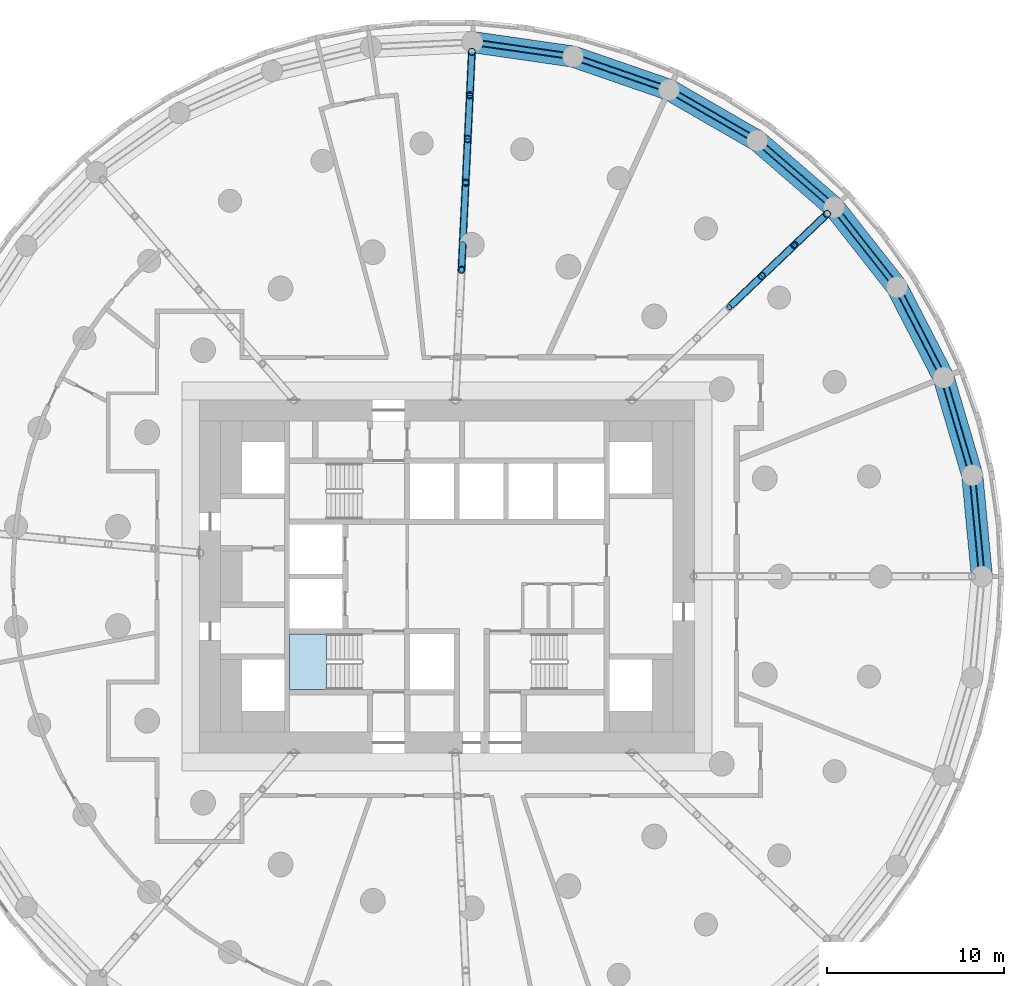
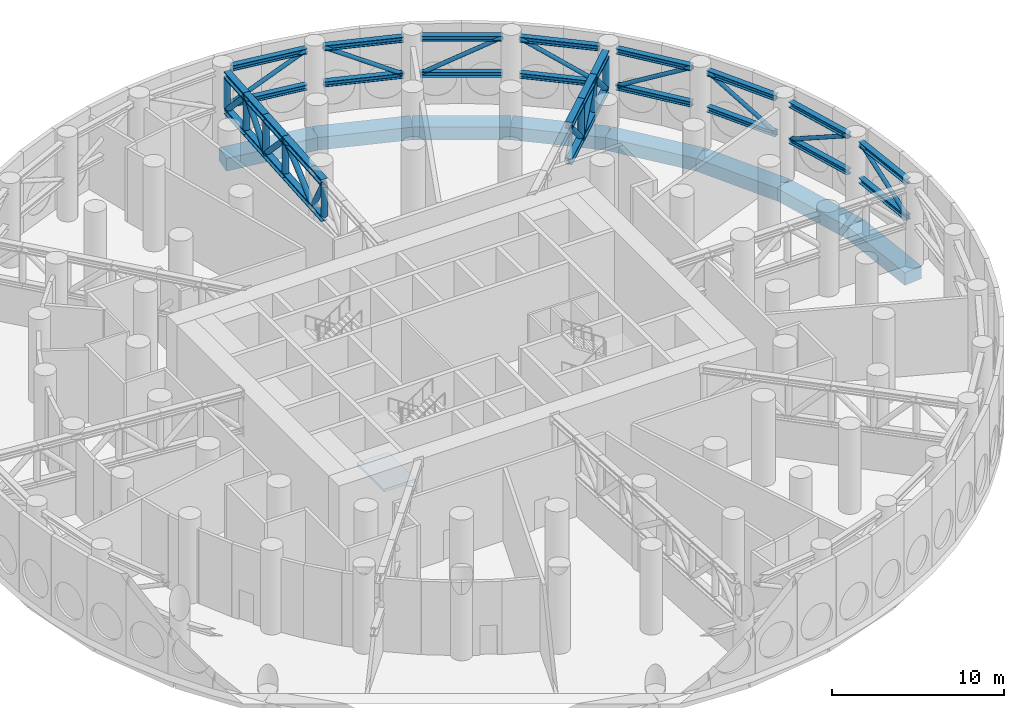
# One storey, part 7 of 17: 56 members, 8 beams, 1 slab, 1 element without a shape of its own.
"""IFC4 building model written with IfcOpenShell, lengths in metres."""

import ifcopenshell
import ifcopenshell.guid

model = None  # the IFC model being written
_history = None  # IfcOwnerHistory: only IFC2X3 demands one
_inside = {}  # id of a spatial element -> (the spatial element, [elements in it])
_under = {}  # id of a project, library or spatial element -> (it, [spatial elements below it])
_declared = {}  # id of a project -> (the project, [libraries it declares])
_typed = {}  # id of a type object -> (the type object, [elements of that type])
_made_of = {}  # id of a material, layer set ... -> (it, [elements and type objects made of it])


def new_model(schema):
    """Start an empty IFC model of exactly this schema.

    Asked for "IFC4X3", IfcOpenShell would pick the latest addendum, in which some entities
    have other attributes; the version numbers below select the first issue.
    IFC2X3 requires an IfcOwnerHistory on every rooted entity: one is made here for all.
    """
    global model, _history
    if schema == "IFC4X3":
        model = ifcopenshell.file(schema_version=(4, 3, 0, 0))
    else:
        model = ifcopenshell.file(schema=schema)
    _inside.clear()
    _under.clear()
    _declared.clear()
    _typed.clear()
    _made_of.clear()
    _history = None
    if model.schema == "IFC2X3":
        org = make("IfcOrganization", Name="unknown")
        user = make(
            "IfcPersonAndOrganization",
            ThePerson=make("IfcPerson", FamilyName="unknown"),
            TheOrganization=org,
        )
        app = make(
            "IfcApplication",
            ApplicationDeveloper=org,
            Version="unknown",
            ApplicationFullName="unknown",
            ApplicationIdentifier="unknown",
        )
        _history = make(
            "IfcOwnerHistory",
            OwningUser=user,
            OwningApplication=app,
            ChangeAction="ADDED",
            CreationDate=0,
        )
    return model


def make(cls, **values):
    """One entity of the class cls with the attributes given. An attribute that is None is left unset."""
    return model.create_entity(
        cls, **{name: value for name, value in values.items() if value is not None}
    )


def rooted(cls, **values):
    """An entity with a GlobalId (a new one), such as an element, a storey or a relation."""
    return make(cls, GlobalId=ifcopenshell.guid.new(), OwnerHistory=_history, **values)


def si_unit(unit_type, name, prefix=None):
    """IfcSIUnit, for example si_unit("LENGTHUNIT", "METRE", prefix="MILLI")."""
    return make("IfcSIUnit", UnitType=unit_type, Prefix=prefix, Name=name)


def assignment(units):
    """IfcUnitAssignment: the units of a project."""
    return None if units is None else make("IfcUnitAssignment", Units=units)


def point(xyz):
    """IfcCartesianPoint."""
    return None if xyz is None else make("IfcCartesianPoint", Coordinates=xyz)


def direction(xyz):
    """IfcDirection."""
    return None if xyz is None else make("IfcDirection", DirectionRatios=xyz)


def frame(location, z_axis=None, x_axis=None):
    """IfcAxis2Placement3D, a coordinate frame: its origin and axes. An axis left out is left unset."""
    return make(
        "IfcAxis2Placement3D",
        Location=point(location),
        Axis=direction(z_axis),
        RefDirection=direction(x_axis),
    )


def frame_2d(location, x_axis=None):
    """IfcAxis2Placement2D, a coordinate frame in the plane: its origin and x axis."""
    return make(
        "IfcAxis2Placement2D", Location=point(location), RefDirection=direction(x_axis)
    )


def origin():
    """The frame at (0, 0, 0) with its axes left unset."""
    return frame((0.0, 0.0, 0.0))


def origin_2d():
    """The frame at (0, 0) in the plane with its x axis left unset."""
    return frame_2d((0.0, 0.0))


def place(relative_to, where):
    """IfcLocalPlacement: puts the frame where relative to a parent placement (None: the world)."""
    return make(
        "IfcLocalPlacement", PlacementRelTo=relative_to, RelativePlacement=where
    )


def context(
    kind, dimensions, precision=None, world=None, true_north=None, identifier=None
):
    """IfcGeometricRepresentationContext, for example the 3D "Model" context."""
    return make(
        "IfcGeometricRepresentationContext",
        ContextIdentifier=identifier,
        ContextType=kind,
        CoordinateSpaceDimension=dimensions,
        Precision=precision,
        WorldCoordinateSystem=world,
        TrueNorth=true_north,
    )


def subcontext(parent, identifier, kind, view, scale=None):
    """IfcGeometricRepresentationSubContext, for example "Body" below "Model"."""
    return make(
        "IfcGeometricRepresentationSubContext",
        ContextIdentifier=identifier,
        ContextType=kind,
        ParentContext=parent,
        TargetScale=scale,
        TargetView=view,
    )


def project(units=None, contexts=None):
    """IfcProject with its units and contexts."""
    return rooted(
        "IfcProject",
        Name="project",
        RepresentationContexts=contexts,
        UnitsInContext=assignment(units),
    )


def spatial(cls, under=None, at=None, **own):
    """A site, building, storey or space (cls), placed at a placement, below another one or the project."""
    s = rooted(cls, ObjectPlacement=at, **own)
    if under is not None:
        _under.setdefault(under.id(), (under, []))[1].append(s)
    return s


def polyline(points):
    """IfcPolyline through the points."""
    return make("IfcPolyline", Points=[point(p) for p in points])


def profile(cls, at=None, kind="AREA", **sizes):
    """A parametric profile (cls). Its sizes go by their IFC names, for example OverallWidth=200.0."""
    return make(cls, ProfileType=kind, Position=at, **sizes)


def rectangle(**sizes):
    """IfcRectangleProfileDef."""
    return profile("IfcRectangleProfileDef", **sizes)


def hollow_circle(**sizes):
    """IfcCircleHollowProfileDef."""
    return profile("IfcCircleHollowProfileDef", **sizes)


def i_section(**sizes):
    """IfcIShapeProfileDef."""
    return profile("IfcIShapeProfileDef", **sizes)


def outline(outer, holes=None, kind="AREA"):
    """IfcArbitraryClosedProfileDef: a profile drawn as a closed curve; with holes, ...WithVoids."""
    if holes is None:
        return make("IfcArbitraryClosedProfileDef", ProfileType=kind, OuterCurve=outer)
    return make(
        "IfcArbitraryProfileDefWithVoids",
        ProfileType=kind,
        OuterCurve=outer,
        InnerCurves=holes,
    )


def extrude(swept, where, along, depth):
    """IfcExtrudedAreaSolid: the profile swept, set in the frame where, extruded along a direction by depth."""
    return make(
        "IfcExtrudedAreaSolid",
        SweptArea=swept,
        Position=where,
        ExtrudedDirection=direction(along),
        Depth=depth,
    )


def shape(context_of_items, identifier, shape_type, items):
    """IfcShapeRepresentation: the items that make up one representation, for example the "Body"."""
    return make(
        "IfcShapeRepresentation",
        ContextOfItems=context_of_items,
        RepresentationIdentifier=identifier,
        RepresentationType=shape_type,
        Items=items,
    )


def material(Name=None, Category=None):
    """IfcMaterial."""
    return make("IfcMaterial", Name=Name, Category=Category)


def layer(
    of_material, thickness, ventilated=None, Name=None, Category=None, Priority=None
):
    """IfcMaterialLayer: one layer of a wall or slab, of a material (None: an air gap)."""
    return make(
        "IfcMaterialLayer",
        Material=of_material,
        LayerThickness=thickness,
        IsVentilated=ventilated,
        Name=Name,
        Category=Category,
        Priority=Priority,
    )


def layer_set(layers, Name=None):
    """IfcMaterialLayerSet."""
    return make("IfcMaterialLayerSet", MaterialLayers=layers, LayerSetName=Name)


def material_profile(
    of_material, cross_section, Name=None, Category=None, Priority=None
):
    """IfcMaterialProfile: a cross section and its material."""
    return make(
        "IfcMaterialProfile",
        Name=Name,
        Material=of_material,
        Profile=cross_section,
        Priority=Priority,
        Category=Category,
    )


def profile_set(profiles, Name=None, composite=None):
    """IfcMaterialProfileSet."""
    return make(
        "IfcMaterialProfileSet",
        Name=Name,
        MaterialProfiles=profiles,
        CompositeProfile=composite,
    )


def made_of(thing, what):
    """Note that an element or type object is made of a material, layer set ...; save() writes the relation."""
    if what is not None:
        _made_of.setdefault(what.id(), (what, []))[1].append(thing)
    return thing


def type_object(cls, material=None, **own):
    """A type object (cls), such as IfcWallType, which elements share."""
    return made_of(rooted(cls, **own), material)


def element(
    cls,
    number,
    at=None,
    inside=None,
    cuts=None,
    type_object=None,
    material=None,
    context=None,
    identifier="Body",
    shape_type=None,
    held_by="IfcProductDefinitionShape",
    body=None,
    shapes=None,
    **own,
):
    """One element of the class cls, such as IfcWall. Its Tag is "e" and its number.

    at: its placement. inside: the storey or other place that contains it. cuts: it is an
    opening in that element (IfcRelVoidsElement). A single representation is given by context,
    identifier, shape_type and body (its items); several are given by shapes. held_by: the class
    of the entity that holds the representations. save() writes the other relations.
    """
    e = rooted(cls, Tag="e%d" % number, ObjectPlacement=at, **own)
    if body is not None:
        shapes = [shape(context, identifier, shape_type, body)]
    if shapes is not None:
        e.Representation = make(held_by, Representations=shapes)
    if inside is not None:
        _inside.setdefault(inside.id(), (inside, []))[1].append(e)
    if cuts is not None:
        rooted(
            "IfcRelVoidsElement", RelatingBuildingElement=cuts, RelatedOpeningElement=e
        )
    if type_object is not None:
        _typed.setdefault(type_object.id(), (type_object, []))[1].append(e)
    return made_of(e, material)


def aggregate(whole, parts):
    """IfcRelAggregates: a whole, such as a stair, and the parts it consists of."""
    return rooted("IfcRelAggregates", RelatingObject=whole, RelatedObjects=parts)


def save(model, path):
    """Write the relations noted so far, then the file.

    IfcRelAggregates (storeys below a building ...), IfcRelContainedInSpatialStructure (elements
    in a storey), IfcRelDefinesByType, IfcRelAssociatesMaterial and IfcRelDeclares: one each for
    every whole, place, type object, material and project.
    """
    for whole, parts in _under.values():
        aggregate(whole, parts)
    for where, things in _inside.values():
        rooted(
            "IfcRelContainedInSpatialStructure",
            RelatedElements=things,
            RelatingStructure=where,
        )
    for kind, things in _typed.values():
        rooted("IfcRelDefinesByType", RelatedObjects=things, RelatingType=kind)
    for what, things in _made_of.values():
        rooted("IfcRelAssociatesMaterial", RelatedObjects=things, RelatingMaterial=what)
    for by, libraries in _declared.values():
        rooted("IfcRelDeclares", RelatingContext=by, RelatedDefinitions=libraries)
    model.write(path)


model = new_model("IFC4")

# Units and contexts
model_context = context("Model", 3, precision=1e-05, world=origin(), true_north=direction((0.0, 1.0)))
body_context = subcontext(model_context, "Body", "Model", "MODEL_VIEW")
ifc_project = project(units=[si_unit("LENGTHUNIT", "METRE"), si_unit("AREAUNIT", "SQUARE_METRE"), si_unit("VOLUMEUNIT", "CUBIC_METRE"), si_unit("PLANEANGLEUNIT", "RADIAN"), si_unit("MASSUNIT", "GRAM", prefix="KILO")], contexts=[model_context])

# Site, building, storey
site_placement = place(None, origin())
site = spatial("IfcSite", under=ifc_project, at=site_placement, CompositionType="ELEMENT")
building_placement = place(site_placement, origin())
building = spatial("IfcBuilding", under=site, at=building_placement, Name="Tracery Tower", CompositionType="ELEMENT")
storey_placement = place(building_placement, frame((0.0, 0.0, 120.0)))
storey = spatial("IfcBuildingStorey", under=building, at=storey_placement, Name="L30 Plant", CompositionType="ELEMENT", Elevation=120.0)

# Members
ifc_material_1 = material(Name="Steel S355", Category="steel")
ifc_material_profile_1 = material_profile(ifc_material_1, i_section(OverallWidth=0.37060546875, OverallDepth=0.362060546875, WebThickness=0.01220703125, FlangeThickness=0.020751953125, FilletRadius=0.01513671875, at=origin_2d()), Name="UKC 356x368x153")
ifc_profile_set_1 = profile_set([ifc_material_profile_1], Name="Steel S355")
member_type_1 = type_object("IfcMemberType", Name="Belt truss bottom chord UKC 356x368x153", PredefinedType="CHORD", material=ifc_profile_set_1)
member_1_placement = place(storey_placement, frame((30.22705078125, 0.497802734375, 2.9033203125), z_axis=(-0.09508043765, 0.995469592894, 0.0), x_axis=(-0.995469592894, -0.09508043765, 0.0)))
element("IfcMember", 1, at=member_1_placement, inside=storey, type_object=member_type_1, Name="Belt truss bottom chord 1", PredefinedType="CHORD", context=body_context, shape_type="SweptSolid", body=[
    extrude(i_section(OverallWidth=0.37060546875, OverallDepth=0.362060546875, WebThickness=0.01220703125, FlangeThickness=0.020751953125, FilletRadius=0.01513671875, at=origin_2d()), origin(), (0.0, 0.0, 1.0), 4.75537109375),
])
for number, where, z_axis, x_axis, name in (
    (2, (29.586669921875, 6.209228515625, 2.9033203125), (-0.281738268349, 0.959491296546, 0.0), (-0.959491296546, -0.281738268349, 0.0), "Belt truss bottom chord 2"),
    (3, (27.876953125, 11.6962890625, 2.9033203125), (-0.458227033576, 0.888835184779, 0.0), (-0.888835184779, -0.458227033576, 0.0), "Belt truss bottom chord 3"),
):
    element("IfcMember", number, at=place(storey_placement, frame(where, z_axis=z_axis, x_axis=x_axis)), inside=storey, type_object=member_type_1, Name=name, PredefinedType="CHORD", context=body_context, shape_type="SweptSolid", body=[
        extrude(i_section(OverallWidth=0.37060546875, OverallDepth=0.362060546875, WebThickness=0.01220703125, FlangeThickness=0.020751953125, FilletRadius=0.01513671875, at=origin_2d()), origin(), (0.0, 0.0, 1.0), 4.755615234375),
    ])
member_2_placement = place(storey_placement, frame((25.159423828125, 16.7607421875, 2.9033203125), z_axis=(-0.618136669927, 0.786070643958, 0.0), x_axis=(-0.786070643958, -0.618136669927, 0.0)))
element("IfcMember", 4, at=member_2_placement, inside=storey, type_object=member_type_1, Name="Belt truss bottom chord 4", PredefinedType="CHORD", context=body_context, shape_type="SweptSolid", body=[
    extrude(i_section(OverallWidth=0.37060546875, OverallDepth=0.362060546875, WebThickness=0.01220703125, FlangeThickness=0.020751953125, FilletRadius=0.01513671875, at=origin_2d()), origin(), (0.0, 0.0, 1.0), 4.75537109375),
])
for number, where, z_axis, x_axis, name in (
    (5, (21.532958984375, 21.21923828125, 2.9033203125), (-0.755744978392, 0.65486603793, 0.0), (-0.65486603793, -0.755744978392, 0.0), "Belt truss bottom chord 5"),
    (6, (17.1279296875, 24.910888671875, 2.9033203125), (-0.866010324758, 0.500026116731, 0.0), (-0.500026116731, -0.866010324758, 0.0), "Belt truss bottom chord 6"),
    (7, (12.10400390625, 27.7021484375, 2.9033203125), (-0.944980580061, 0.327126433213, 0.0), (-0.327126433213, -0.944980580061, 0.0), "Belt truss bottom chord 7"),
    (8, (6.642578125, 29.492431640625, 2.9033203125), (-0.989822810681, 0.142305317733, 0.0), (-0.142305317733, -0.989822810681, 0.0), "Belt truss bottom chord 8"),
):
    element("IfcMember", number, at=place(storey_placement, frame(where, z_axis=z_axis, x_axis=x_axis)), inside=storey, type_object=member_type_1, Name=name, PredefinedType="CHORD", context=body_context, shape_type="SweptSolid", body=[
        extrude(i_section(OverallWidth=0.37060546875, OverallDepth=0.362060546875, WebThickness=0.01220703125, FlangeThickness=0.020751953125, FilletRadius=0.01513671875, at=origin_2d()), origin(), (0.0, 0.0, 1.0), 4.755615234375),
    ])
ifc_material_2 = material(Name="Steel S355", Category="steel")
ifc_material_profile_2 = material_profile(ifc_material_2, hollow_circle(Radius=0.136474609375, WallThickness=0.012451171875, at=origin_2d()), Name="CHS 273x12.5")
ifc_profile_set_2 = profile_set([ifc_material_profile_2], Name="Steel S355")
member_type_2 = type_object("IfcMemberType", Name="Belt truss diagonal CHS 273x12.5", PredefinedType="BRACE", material=ifc_profile_set_2)
member_3_placement = place(storey_placement, frame((30.22705078125, 0.497802734375, 2.9033203125), z_axis=(-0.083725059222, 0.876581478567, 0.473914576576), x_axis=(-0.995469592894, -0.09508043765, 0.0)))
element("IfcMember", 9, at=member_3_placement, inside=storey, type_object=member_type_2, Name="Belt truss diagonal 1", PredefinedType="BRACE", context=body_context, shape_type="SweptSolid", body=[
    extrude(hollow_circle(Radius=0.136474609375, WallThickness=0.012451171875, at=origin_2d()), origin(), (0.0, 0.0, 1.0), 5.400390625),
])
for number, where, z_axis, x_axis, name in (
    (10, (29.586669921875, 6.209228515625, 5.462646484375), (-0.248092866052, 0.844908102498, -0.473898964071), (-0.959491296546, -0.281738268349, 0.0), "Belt truss diagonal 2"),
    (11, (27.876953125, 11.6962890625, 2.9033203125), (-0.403506857394, 0.782693001224, 0.473892268212), (-0.888835184779, -0.458227033576, 0.0), "Belt truss diagonal 3"),
):
    element("IfcMember", number, at=place(storey_placement, frame(where, z_axis=z_axis, x_axis=x_axis)), inside=storey, type_object=member_type_2, Name=name, PredefinedType="BRACE", context=body_context, shape_type="SweptSolid", body=[
        extrude(hollow_circle(Radius=0.136474609375, WallThickness=0.012451171875, at=origin_2d()), origin(), (0.0, 0.0, 1.0), 5.400634765625),
    ])
member_4_placement = place(storey_placement, frame((25.159423828125, 16.7607421875, 5.462646484375), z_axis=(-0.544310911572, 0.692188070355, -0.473921203157), x_axis=(-0.786070643958, -0.618136669927, 0.0)))
element("IfcMember", 12, at=member_4_placement, inside=storey, type_object=member_type_2, Name="Belt truss diagonal 4", PredefinedType="BRACE", context=body_context, shape_type="SweptSolid", body=[
    extrude(hollow_circle(Radius=0.136474609375, WallThickness=0.012451171875, at=origin_2d()), origin(), (0.0, 0.0, 1.0), 5.400390625),
])
for number, where, z_axis, x_axis, name in (
    (13, (21.532958984375, 21.21923828125, 2.9033203125), (-0.66549118725, 0.576659573709, 0.47390422634), (-0.65486603793, -0.755744978392, 0.0), "Belt truss diagonal 5"),
    (14, (17.1279296875, 24.910888671875, 5.462646484375), (-0.762589914734, 0.440312156589, -0.47390065067), (-0.500026116731, -0.866010324758, 0.0), "Belt truss diagonal 6"),
):
    element("IfcMember", number, at=place(storey_placement, frame(where, z_axis=z_axis, x_axis=x_axis)), inside=storey, type_object=member_type_2, Name=name, PredefinedType="BRACE", context=body_context, shape_type="SweptSolid", body=[
        extrude(hollow_circle(Radius=0.136474609375, WallThickness=0.012451171875, at=origin_2d()), origin(), (0.0, 0.0, 1.0), 5.400634765625),
    ])
member_5_placement = place(storey_placement, frame((12.10400390625, 27.7021484375, 2.9033203125), z_axis=(-0.832126767289, 0.28805952959, 0.473905845683), x_axis=(-0.327126433213, -0.944980580061, 0.0)))
element("IfcMember", 15, at=member_5_placement, inside=storey, type_object=member_type_2, Name="Belt truss diagonal 7", PredefinedType="BRACE", context=body_context, shape_type="SweptSolid", body=[
    extrude(hollow_circle(Radius=0.136474609375, WallThickness=0.012451171875, at=origin_2d()), origin(), (0.0, 0.0, 1.0), 5.400390625),
])
member_6_placement = place(storey_placement, frame((6.642578125, 29.492431640625, 5.462646484375), z_axis=(-0.871619132193, 0.125311354932, -0.473895719246), x_axis=(-0.142305317733, -0.989822810681, 0.0)))
element("IfcMember", 16, at=member_6_placement, inside=storey, type_object=member_type_2, Name="Belt truss diagonal 8", PredefinedType="BRACE", context=body_context, shape_type="SweptSolid", body=[
    extrude(hollow_circle(Radius=0.136474609375, WallThickness=0.012451171875, at=origin_2d()), origin(), (0.0, 0.0, 1.0), 5.400634765625),
])
ifc_material_3 = material(Name="Steel S355", Category="steel")
ifc_material_profile_3 = material_profile(ifc_material_3, i_section(OverallWidth=0.374755859375, OverallDepth=0.37451171875, WebThickness=0.0166015625, FlangeThickness=0.027099609375, FilletRadius=0.01513671875, at=origin_2d()), Name="UKC 356x368x202")
ifc_profile_set_3 = profile_set([ifc_material_profile_3], Name="Steel S355")
member_type_3 = type_object("IfcMemberType", Name="Belt truss top chord UKC 356x368x202", PredefinedType="CHORD", material=ifc_profile_set_3)
member_7_placement = place(storey_placement, frame((30.22705078125, 0.497802734375, 5.462646484375), z_axis=(-0.09508043765, 0.995469592894, 0.0), x_axis=(-0.995469592894, -0.09508043765, 0.0)))
element("IfcMember", 17, at=member_7_placement, inside=storey, type_object=member_type_3, Name="Belt truss top chord 1", PredefinedType="CHORD", context=body_context, shape_type="SweptSolid", body=[
    extrude(i_section(OverallWidth=0.374755859375, OverallDepth=0.37451171875, WebThickness=0.0166015625, FlangeThickness=0.027099609375, FilletRadius=0.01513671875, at=origin_2d()), origin(), (0.0, 0.0, 1.0), 4.75537109375),
])
for number, where, z_axis, x_axis, name in (
    (18, (29.586669921875, 6.209228515625, 5.462646484375), (-0.281738268349, 0.959491296546, 0.0), (-0.959491296546, -0.281738268349, 0.0), "Belt truss top chord 2"),
    (19, (27.876953125, 11.6962890625, 5.462646484375), (-0.458227033576, 0.888835184779, 0.0), (-0.888835184779, -0.458227033576, 0.0), "Belt truss top chord 3"),
):
    element("IfcMember", number, at=place(storey_placement, frame(where, z_axis=z_axis, x_axis=x_axis)), inside=storey, type_object=member_type_3, Name=name, PredefinedType="CHORD", context=body_context, shape_type="SweptSolid", body=[
        extrude(i_section(OverallWidth=0.374755859375, OverallDepth=0.37451171875, WebThickness=0.0166015625, FlangeThickness=0.027099609375, FilletRadius=0.01513671875, at=origin_2d()), origin(), (0.0, 0.0, 1.0), 4.755615234375),
    ])
member_8_placement = place(storey_placement, frame((25.159423828125, 16.7607421875, 5.462646484375), z_axis=(-0.618136669927, 0.786070643958, 0.0), x_axis=(-0.786070643958, -0.618136669927, 0.0)))
element("IfcMember", 20, at=member_8_placement, inside=storey, type_object=member_type_3, Name="Belt truss top chord 4", PredefinedType="CHORD", context=body_context, shape_type="SweptSolid", body=[
    extrude(i_section(OverallWidth=0.374755859375, OverallDepth=0.37451171875, WebThickness=0.0166015625, FlangeThickness=0.027099609375, FilletRadius=0.01513671875, at=origin_2d()), origin(), (0.0, 0.0, 1.0), 4.75537109375),
])
for number, where, z_axis, x_axis, name in (
    (21, (21.532958984375, 21.21923828125, 5.462646484375), (-0.755744978392, 0.65486603793, 0.0), (-0.65486603793, -0.755744978392, 0.0), "Belt truss top chord 5"),
    (22, (17.1279296875, 24.910888671875, 5.462646484375), (-0.866010324758, 0.500026116731, 0.0), (-0.500026116731, -0.866010324758, 0.0), "Belt truss top chord 6"),
    (23, (12.10400390625, 27.7021484375, 5.462646484375), (-0.944980580061, 0.327126433213, 0.0), (-0.327126433213, -0.944980580061, 0.0), "Belt truss top chord 7"),
    (24, (6.642578125, 29.492431640625, 5.462646484375), (-0.989822810681, 0.142305317733, 0.0), (-0.142305317733, -0.989822810681, 0.0), "Belt truss top chord 8"),
):
    element("IfcMember", number, at=place(storey_placement, frame(where, z_axis=z_axis, x_axis=x_axis)), inside=storey, type_object=member_type_3, Name=name, PredefinedType="CHORD", context=body_context, shape_type="SweptSolid", body=[
        extrude(i_section(OverallWidth=0.374755859375, OverallDepth=0.37451171875, WebThickness=0.0166015625, FlangeThickness=0.027099609375, FilletRadius=0.01513671875, at=origin_2d()), origin(), (0.0, 0.0, 1.0), 4.755615234375),
    ])
ifc_material_4 = material(Name="Steel S355", Category="steel")
ifc_material_profile_4 = material_profile(ifc_material_4, i_section(OverallWidth=0.403076171875, OverallDepth=0.406494140625, WebThickness=0.026611328125, FlangeThickness=0.04296875, FilletRadius=0.01513671875, at=origin_2d()), Name="UKC 356x406x340")
ifc_profile_set_4 = profile_set([ifc_material_profile_4], Name="Steel S355")
member_type_4 = type_object("IfcMemberType", Name="Outrigger bottom chord UKC 356x406x340", PredefinedType="CHORD", material=ifc_profile_set_4)
for number, where, z_axis, x_axis, name in (
    (25, (15.982177734375, 15.239013671875, 2.9033203125), (0.723775395754, 0.690035634225, 0.0), (-0.690035634225, 0.723775395754, 0.0), "Outrigger 2 bottom chord 4"),
    (26, (17.82568359375, 16.99658203125, 2.9033203125), (0.723727525939, 0.690085841181, 0.0), (-0.690085841181, 0.723727525939, 0.0), "Outrigger 2 bottom chord 5"),
):
    element("IfcMember", number, at=place(storey_placement, frame(where, z_axis=z_axis, x_axis=x_axis)), inside=storey, type_object=member_type_4, Name=name, PredefinedType="CHORD", context=body_context, shape_type="SweptSolid", body=[
        extrude(i_section(OverallWidth=0.403076171875, OverallDepth=0.406494140625, WebThickness=0.026611328125, FlangeThickness=0.04296875, FilletRadius=0.01513671875, at=origin_2d()), origin(), (0.0, 0.0, 1.0), 2.547119140625),
    ])
member_9_placement = place(storey_placement, frame((19.669189453125, 18.75439453125, 2.9033203125), z_axis=(0.723679658973, 0.690136038176, 0.0), x_axis=(-0.690136038176, 0.723679658973, 0.0)))
element("IfcMember", 27, at=member_9_placement, inside=storey, type_object=member_type_4, Name="Outrigger 2 bottom chord 6", PredefinedType="CHORD", context=body_context, shape_type="SweptSolid", body=[
    extrude(i_section(OverallWidth=0.403076171875, OverallDepth=0.406494140625, WebThickness=0.026611328125, FlangeThickness=0.04296875, FilletRadius=0.01513671875, at=origin_2d()), origin(), (0.0, 0.0, 1.0), 2.54736328125),
])
member_10_placement = place(storey_placement, frame((0.82666015625, 17.352783203125, 2.9033203125), z_axis=(0.047549070272, 0.998868903268, 0.0), x_axis=(-0.998868903268, 0.047549070272, 0.0)))
element("IfcMember", 28, at=member_10_placement, inside=storey, type_object=member_type_4, Name="Outrigger 3 bottom chord 4", PredefinedType="CHORD", context=body_context, shape_type="SweptSolid", body=[
    extrude(i_section(OverallWidth=0.403076171875, OverallDepth=0.406494140625, WebThickness=0.026611328125, FlangeThickness=0.04296875, FilletRadius=0.01513671875, at=origin_2d()), origin(), (0.0, 0.0, 1.0), 1.44287109375),
])
member_11_placement = place(storey_placement, frame((0.895263671875, 18.7939453125, 2.9033203125), z_axis=(0.047598308599, 0.998866558164, 0.0), x_axis=(-0.998866558164, 0.047598308599, 0.0)))
element("IfcMember", 29, at=member_11_placement, inside=storey, type_object=member_type_4, Name="Outrigger 3 bottom chord 5", PredefinedType="CHORD", context=body_context, shape_type="SweptSolid", body=[
    extrude(i_section(OverallWidth=0.403076171875, OverallDepth=0.406494140625, WebThickness=0.026611328125, FlangeThickness=0.04296875, FilletRadius=0.01513671875, at=origin_2d()), origin(), (0.0, 0.0, 1.0), 3.498046875),
])
member_12_placement = place(storey_placement, frame((1.061767578125, 22.2880859375, 2.9033203125), z_axis=(0.047536976289, 0.998869478904, 0.0), x_axis=(-0.998869478904, 0.047536976289, 0.0)))
element("IfcMember", 30, at=member_12_placement, inside=storey, type_object=member_type_4, Name="Outrigger 3 bottom chord 6", PredefinedType="CHORD", context=body_context, shape_type="SweptSolid", body=[
    extrude(i_section(OverallWidth=0.403076171875, OverallDepth=0.406494140625, WebThickness=0.026611328125, FlangeThickness=0.04296875, FilletRadius=0.01513671875, at=origin_2d()), origin(), (0.0, 0.0, 1.0), 2.47021484375),
])
member_13_placement = place(storey_placement, frame((1.17919921875, 24.755615234375, 2.9033203125), z_axis=(0.047630879766, 0.99886500554, 0.0), x_axis=(-0.99886500554, 0.047630879766, 0.0)))
element("IfcMember", 31, at=member_13_placement, inside=storey, type_object=member_type_4, Name="Outrigger 3 bottom chord 7", PredefinedType="CHORD", context=body_context, shape_type="SweptSolid", body=[
    extrude(i_section(OverallWidth=0.403076171875, OverallDepth=0.406494140625, WebThickness=0.026611328125, FlangeThickness=0.04296875, FilletRadius=0.01513671875, at=origin_2d()), origin(), (0.0, 0.0, 1.0), 2.470458984375),
])
member_14_placement = place(storey_placement, frame((1.296875, 27.223388671875, 2.9033203125), z_axis=(0.047536976289, 0.998869478904, 0.0), x_axis=(-0.998869478904, 0.047536976289, 0.0)))
element("IfcMember", 32, at=member_14_placement, inside=storey, type_object=member_type_4, Name="Outrigger 3 bottom chord 8", PredefinedType="CHORD", context=body_context, shape_type="SweptSolid", body=[
    extrude(i_section(OverallWidth=0.403076171875, OverallDepth=0.406494140625, WebThickness=0.026611328125, FlangeThickness=0.04296875, FilletRadius=0.01513671875, at=origin_2d()), origin(), (0.0, 0.0, 1.0), 2.47021484375),
])
ifc_material_5 = material(Name="Steel S355", Category="steel")
ifc_material_profile_5 = material_profile(ifc_material_5, hollow_circle(Radius=0.177734375, WallThickness=0.01611328125, at=origin_2d()), Name="CHS 355.6x16")
ifc_profile_set_5 = profile_set([ifc_material_profile_5], Name="Steel S355")
member_type_5 = type_object("IfcMemberType", Name="Outrigger diagonal CHS 355.6x16", PredefinedType="BRACE", material=ifc_profile_set_5)
for number, where, z_axis, x_axis, name in (
    (33, (15.982177734375, 15.239013671875, 5.462646484375), (0.510556547259, 0.486756268536, -0.708802050711), (-0.690035634225, 0.723775395754, 0.0), "Outrigger 2 diagonal 4"),
    (34, (17.82568359375, 16.99658203125, 2.9033203125), (0.510539743614, 0.486807860418, 0.708778722329), (-0.690085841181, 0.723727525939, 0.0), "Outrigger 2 diagonal 5"),
):
    element("IfcMember", number, at=place(storey_placement, frame(where, z_axis=z_axis, x_axis=x_axis)), inside=storey, type_object=member_type_5, Name=name, PredefinedType="BRACE", context=body_context, shape_type="SweptSolid", body=[
        extrude(hollow_circle(Radius=0.177734375, WallThickness=0.01611328125, at=origin_2d()), origin(), (0.0, 0.0, 1.0), 3.61083984375),
    ])
member_15_placement = place(storey_placement, frame((19.669189453125, 18.75439453125, 5.462646484375), z_axis=(0.510522939294, 0.486859447206, -0.70875539301), x_axis=(-0.690136038176, 0.723679658973, 0.0)))
element("IfcMember", 35, at=member_15_placement, inside=storey, type_object=member_type_5, Name="Outrigger 2 diagonal 6", PredefinedType="BRACE", context=body_context, shape_type="SweptSolid", body=[
    extrude(hollow_circle(Radius=0.177734375, WallThickness=0.01611328125, at=origin_2d()), origin(), (0.0, 0.0, 1.0), 3.611083984375),
])
member_16_placement = place(storey_placement, frame((0.82666015625, 17.352783203125, 5.462646484375), z_axis=(0.023350466345, 0.490525988736, -0.871113660837), x_axis=(-0.998868903268, 0.047549070272, 0.0)))
element("IfcMember", 36, at=member_16_placement, inside=storey, type_object=member_type_5, Name="Outrigger 3 diagonal 4", PredefinedType="BRACE", context=body_context, shape_type="SweptSolid", body=[
    extrude(hollow_circle(Radius=0.177734375, WallThickness=0.01611328125, at=origin_2d()), origin(), (0.0, 0.0, 1.0), 2.93798828125),
])
member_17_placement = place(storey_placement, frame((0.895263671875, 18.7939453125, 2.9033203125), z_axis=(0.038414656054, 0.806144512381, 0.590470439022), x_axis=(-0.998866558164, 0.047598308599, 0.0)))
element("IfcMember", 37, at=member_17_placement, inside=storey, type_object=member_type_5, Name="Outrigger 3 diagonal 5", PredefinedType="BRACE", context=body_context, shape_type="SweptSolid", body=[
    extrude(hollow_circle(Radius=0.177734375, WallThickness=0.01611328125, at=origin_2d()), origin(), (0.0, 0.0, 1.0), 4.33447265625),
])
for number, where, z_axis, x_axis, name in (
    (38, (1.061767578125, 22.2880859375, 5.462646484375), (0.03301372485, 0.693700035465, -0.719507022042), (-0.998869478904, 0.047536976289, 0.0), "Outrigger 3 diagonal 6"),
    (39, (1.17919921875, 24.755615234375, 2.9033203125), (0.033080710324, 0.693734066292, 0.719471133452), (-0.99886500554, 0.047630879766, 0.0), "Outrigger 3 diagonal 7"),
    (40, (1.296875, 27.223388671875, 5.462646484375), (0.03301372485, 0.693700035465, -0.719507022042), (-0.998869478904, 0.047536976289, 0.0), "Outrigger 3 diagonal 8"),
):
    element("IfcMember", number, at=place(storey_placement, frame(where, z_axis=z_axis, x_axis=x_axis)), inside=storey, type_object=member_type_5, Name=name, PredefinedType="BRACE", context=body_context, shape_type="SweptSolid", body=[
        extrude(hollow_circle(Radius=0.177734375, WallThickness=0.01611328125, at=origin_2d()), origin(), (0.0, 0.0, 1.0), 3.55712890625),
    ])
ifc_material_6 = material(Name="Steel S355", Category="steel")
ifc_material_profile_6 = material_profile(ifc_material_6, hollow_circle(Radius=0.203125, WallThickness=0.02001953125, at=origin_2d()), Name="CHS 406.4x20")
ifc_profile_set_6 = profile_set([ifc_material_profile_6], Name="Steel S355")
member_type_6 = type_object("IfcMemberType", Name="Outrigger post CHS 406.4x20", PredefinedType="POST", material=ifc_profile_set_6)
for number, where, z_axis, x_axis, name in (
    (41, (17.82568359375, 16.99658203125, 3.1064453125), (0.0, 0.0, 1.0), (1.0, 0.0, 0.0), "Outrigger 2 post 5"),
    (42, (19.669189453125, 18.75439453125, 3.1064453125), (0.0, 0.0, 1.0), (1.0, 0.0, 0.0), "Outrigger 2 post 6"),
    (43, (21.5126953125, 20.512451171875, 3.1064453125), (0.0, 0.0, 1.0), (1.0, 0.0, 0.0), "Outrigger 2 post 7"),
    (44, (0.82666015625, 17.352783203125, 3.1064453125), (0.0, 0.0, 1.0), (1.0, 0.0, 0.0), "Outrigger 3 post 4"),
    (45, (1.061767578125, 22.2880859375, 3.1064453125), (0.0, 0.0, 1.0), (1.0, 0.0, 0.0), "Outrigger 3 post 6"),
    (46, (1.17919921875, 24.755615234375, 3.1064453125), (0.0, 0.0, 1.0), (1.0, 0.0, 0.0), "Outrigger 3 post 7"),
    (47, (1.296875, 27.223388671875, 3.1064453125), (0.0, 0.0, 1.0), (1.0, 0.0, 0.0), "Outrigger 3 post 8"),
    (48, (1.414306640625, 29.69091796875, 3.1064453125), (0.0, 0.0, 1.0), (1.0, 0.0, 0.0), "Outrigger 3 post 9"),
):
    element("IfcMember", number, at=place(storey_placement, frame(where, z_axis=z_axis, x_axis=x_axis)), inside=storey, type_object=member_type_6, Name=name, PredefinedType="POST", context=body_context, shape_type="SweptSolid", body=[
        extrude(hollow_circle(Radius=0.203125, WallThickness=0.02001953125, at=origin_2d()), origin(), (0.0, 0.0, 1.0), 2.118896484375),
    ])
ifc_material_7 = material(Name="Steel S355", Category="steel")
ifc_material_profile_7 = material_profile(ifc_material_7, i_section(OverallWidth=0.424072265625, OverallDepth=0.474609375, WebThickness=0.047607421875, FlangeThickness=0.076904296875, FilletRadius=0.01513671875, at=origin_2d()), Name="UKC 356x406x634")
ifc_profile_set_7 = profile_set([ifc_material_profile_7], Name="Steel S355")
member_type_7 = type_object("IfcMemberType", Name="Outrigger top chord UKC 356x406x634", PredefinedType="CHORD", material=ifc_profile_set_7)
for number, where, z_axis, x_axis, name in (
    (49, (15.982177734375, 15.239013671875, 5.462646484375), (0.723775395754, 0.690035634225, 0.0), (-0.690035634225, 0.723775395754, 0.0), "Outrigger 2 top chord 4"),
    (50, (17.82568359375, 16.99658203125, 5.462646484375), (0.723727525939, 0.690085841181, 0.0), (-0.690085841181, 0.723727525939, 0.0), "Outrigger 2 top chord 5"),
):
    element("IfcMember", number, at=place(storey_placement, frame(where, z_axis=z_axis, x_axis=x_axis)), inside=storey, type_object=member_type_7, Name=name, PredefinedType="CHORD", context=body_context, shape_type="SweptSolid", body=[
        extrude(i_section(OverallWidth=0.424072265625, OverallDepth=0.474609375, WebThickness=0.047607421875, FlangeThickness=0.076904296875, FilletRadius=0.01513671875, at=origin_2d()), origin(), (0.0, 0.0, 1.0), 2.547119140625),
    ])
member_18_placement = place(storey_placement, frame((19.669189453125, 18.75439453125, 5.462646484375), z_axis=(0.723679658973, 0.690136038176, 0.0), x_axis=(-0.690136038176, 0.723679658973, 0.0)))
element("IfcMember", 51, at=member_18_placement, inside=storey, type_object=member_type_7, Name="Outrigger 2 top chord 6", PredefinedType="CHORD", context=body_context, shape_type="SweptSolid", body=[
    extrude(i_section(OverallWidth=0.424072265625, OverallDepth=0.474609375, WebThickness=0.047607421875, FlangeThickness=0.076904296875, FilletRadius=0.01513671875, at=origin_2d()), origin(), (0.0, 0.0, 1.0), 2.54736328125),
])
member_19_placement = place(storey_placement, frame((0.82666015625, 17.352783203125, 5.462646484375), z_axis=(0.047549070272, 0.998868903268, 0.0), x_axis=(-0.998868903268, 0.047549070272, 0.0)))
element("IfcMember", 52, at=member_19_placement, inside=storey, type_object=member_type_7, Name="Outrigger 3 top chord 4", PredefinedType="CHORD", context=body_context, shape_type="SweptSolid", body=[
    extrude(i_section(OverallWidth=0.424072265625, OverallDepth=0.474609375, WebThickness=0.047607421875, FlangeThickness=0.076904296875, FilletRadius=0.01513671875, at=origin_2d()), origin(), (0.0, 0.0, 1.0), 1.44287109375),
])
member_20_placement = place(storey_placement, frame((0.895263671875, 18.7939453125, 5.462646484375), z_axis=(0.047598308599, 0.998866558164, 0.0), x_axis=(-0.998866558164, 0.047598308599, 0.0)))
element("IfcMember", 53, at=member_20_placement, inside=storey, type_object=member_type_7, Name="Outrigger 3 top chord 5", PredefinedType="CHORD", context=body_context, shape_type="SweptSolid", body=[
    extrude(i_section(OverallWidth=0.424072265625, OverallDepth=0.474609375, WebThickness=0.047607421875, FlangeThickness=0.076904296875, FilletRadius=0.01513671875, at=origin_2d()), origin(), (0.0, 0.0, 1.0), 3.498046875),
])
member_21_placement = place(storey_placement, frame((1.061767578125, 22.2880859375, 5.462646484375), z_axis=(0.047536976289, 0.998869478904, 0.0), x_axis=(-0.998869478904, 0.047536976289, 0.0)))
element("IfcMember", 54, at=member_21_placement, inside=storey, type_object=member_type_7, Name="Outrigger 3 top chord 6", PredefinedType="CHORD", context=body_context, shape_type="SweptSolid", body=[
    extrude(i_section(OverallWidth=0.424072265625, OverallDepth=0.474609375, WebThickness=0.047607421875, FlangeThickness=0.076904296875, FilletRadius=0.01513671875, at=origin_2d()), origin(), (0.0, 0.0, 1.0), 2.47021484375),
])
member_22_placement = place(storey_placement, frame((1.17919921875, 24.755615234375, 5.462646484375), z_axis=(0.047630879766, 0.99886500554, 0.0), x_axis=(-0.99886500554, 0.047630879766, 0.0)))
element("IfcMember", 55, at=member_22_placement, inside=storey, type_object=member_type_7, Name="Outrigger 3 top chord 7", PredefinedType="CHORD", context=body_context, shape_type="SweptSolid", body=[
    extrude(i_section(OverallWidth=0.424072265625, OverallDepth=0.474609375, WebThickness=0.047607421875, FlangeThickness=0.076904296875, FilletRadius=0.01513671875, at=origin_2d()), origin(), (0.0, 0.0, 1.0), 2.470458984375),
])
member_23_placement = place(storey_placement, frame((1.296875, 27.223388671875, 5.462646484375), z_axis=(0.047536976289, 0.998869478904, 0.0), x_axis=(-0.998869478904, 0.047536976289, 0.0)))
element("IfcMember", 56, at=member_23_placement, inside=storey, type_object=member_type_7, Name="Outrigger 3 top chord 8", PredefinedType="CHORD", context=body_context, shape_type="SweptSolid", body=[
    extrude(i_section(OverallWidth=0.424072265625, OverallDepth=0.474609375, WebThickness=0.047607421875, FlangeThickness=0.076904296875, FilletRadius=0.01513671875, at=origin_2d()), origin(), (0.0, 0.0, 1.0), 2.47021484375),
])

# Beams
ifc_material_8 = material(Name="Concrete C60/75", Category="concrete")
ifc_material_profile_8 = material_profile(ifc_material_8, rectangle(XDim=1.199951171875, YDim=0.89990234375, at=origin_2d()), Name="RC 1200x900")
ifc_profile_set_8 = profile_set([ifc_material_profile_8], Name="Concrete C60/75")
beam_type = type_object("IfcBeamType", Name="Plant level band beam 1200x900", PredefinedType="BEAM", material=ifc_profile_set_8)
for number, where, z_axis, x_axis, name in (
    (57, (30.274658203125, 0.0, -0.949951171875), (-0.095059309677, 0.995471610667, 0.0), (-0.995471610667, -0.095059309677, 0.0), "Perimeter beam 0.00 under L30 Plant"),
    (58, (29.7275390625, 5.7294921875, -0.949951171875), (-0.281739145896, 0.959491038869, 0.0), (-0.959491038869, -0.281739145896, 0.0), "Perimeter beam 0.01 under L30 Plant"),
    (59, (28.10595703125, 11.251953125, -0.949951171875), (-0.458242010493, 0.88882746347, 0.0), (-0.88882746347, -0.458242010493, 0.0), "Perimeter beam 0.02 under L30 Plant"),
):
    element("IfcBeam", number, at=place(storey_placement, frame(where, z_axis=z_axis, x_axis=x_axis)), inside=storey, type_object=beam_type, Name=name, PredefinedType="BEAM", context=body_context, shape_type="SweptSolid", body=[
        extrude(rectangle(XDim=1.199951171875, YDim=0.89990234375, at=origin_2d()), origin(), (0.0, 0.0, 1.0), 5.755615234375),
    ])
beam_1_placement = place(storey_placement, frame((25.468505859375, 16.36767578125, -0.949951171875), z_axis=(-0.618134362257, 0.786072458618, 0.0), x_axis=(-0.786072458618, -0.618134362257, 0.0)))
element("IfcBeam", 60, at=beam_1_placement, inside=storey, type_object=beam_type, Name="Perimeter beam 0.03 under L30 Plant", PredefinedType="BEAM", context=body_context, shape_type="SweptSolid", body=[
    extrude(rectangle(XDim=1.199951171875, YDim=0.89990234375, at=origin_2d()), origin(), (0.0, 0.0, 1.0), 5.75537109375),
])
beam_2_placement = place(storey_placement, frame((21.910888671875, 20.891845703125, -0.949951171875), z_axis=(-0.755760456715, 0.65484817482, 0.0), x_axis=(-0.65484817482, -0.755760456715, 0.0)))
element("IfcBeam", 61, at=beam_2_placement, inside=storey, type_object=beam_type, Name="Perimeter beam 0.04 under L30 Plant", PredefinedType="BEAM", context=body_context, shape_type="SweptSolid", body=[
    extrude(rectangle(XDim=1.199951171875, YDim=0.89990234375, at=origin_2d()), origin(), (0.0, 0.0, 1.0), 5.755615234375),
])
beam_3_placement = place(storey_placement, frame((17.56103515625, 24.660888671875, -0.949951171875), z_axis=(-0.866021003874, 0.50000762079, 0.0), x_axis=(-0.50000762079, -0.866021003874, 0.0)))
element("IfcBeam", 62, at=beam_3_placement, inside=storey, type_object=beam_type, Name="Perimeter beam 0.05 under L30 Plant", PredefinedType="BEAM", context=body_context, shape_type="SweptSolid", body=[
    extrude(rectangle(XDim=1.199951171875, YDim=0.89990234375, at=origin_2d()), origin(), (0.0, 0.0, 1.0), 5.755859375),
])
beam_4_placement = place(storey_placement, frame((12.576416015625, 27.538818359375, -0.949951171875), z_axis=(-0.945007252869, 0.327049372458, 0.0), x_axis=(-0.327049372458, -0.945007252869, 0.0)))
element("IfcBeam", 63, at=beam_4_placement, inside=storey, type_object=beam_type, Name="Perimeter beam 0.06 under L30 Plant", PredefinedType="BEAM", context=body_context, shape_type="SweptSolid", body=[
    extrude(rectangle(XDim=1.199951171875, YDim=0.89990234375, at=origin_2d()), origin(), (0.0, 0.0, 1.0), 5.75537109375),
])
beam_5_placement = place(storey_placement, frame((7.137451171875, 29.421142578125, -0.949951171875), z_axis=(-0.989821839174, 0.142312075013, 0.0), x_axis=(-0.142312075013, -0.989821839174, 0.0)))
element("IfcBeam", 64, at=beam_5_placement, inside=storey, type_object=beam_type, Name="Perimeter beam 0.07 under L30 Plant", PredefinedType="BEAM", context=body_context, shape_type="SweptSolid", body=[
    extrude(rectangle(XDim=1.199951171875, YDim=0.89990234375, at=origin_2d()), origin(), (0.0, 0.0, 1.0), 5.755615234375),
])

# Stair, slab
ifc_material_9 = material(Name="Concrete C32/40", Category="concrete")
stair_type = type_object("IfcStairType", Name="Core stair 36 risers", PredefinedType="HALF_TURN_STAIR", material=ifc_material_9)
stair_placement = place(storey_placement, origin())
stair = element("IfcStair", 65, at=stair_placement, inside=storey, type_object=stair_type, Name="L30 Plant stair ST1", PredefinedType="HALF_TURN_STAIR")
ifc_material_10 = material(Name="Concrete C32/40", Category="concrete")
ifc_layer = layer(ifc_material_10, 0.199951171875)
ifc_layer_set = layer_set([ifc_layer], Name="Stair landing slab 200")
slab_type = type_object("IfcSlabType", Name="Stair landing slab 200", PredefinedType="LANDING", material=ifc_layer_set)
slab_placement = place(storey_placement, frame((0.0, 0.0, 1.300048828125)))
slab = element("IfcSlab", 66, at=slab_placement, type_object=slab_type, Name="ST1 landing 1", PredefinedType="LANDING", context=body_context, shape_type="SweptSolid", body=[
    extrude(outline(polyline([(-6.79931640625, -3.25), (-8.89990234375, -3.25), (-8.89990234375, -6.39990234375), (-6.79931640625, -6.39990234375), (-6.79931640625, -3.25)])), origin(), (0.0, 0.0, 1.0), 0.199951171875),
])
aggregate(stair, [slab])

save(model, "model.ifc")
